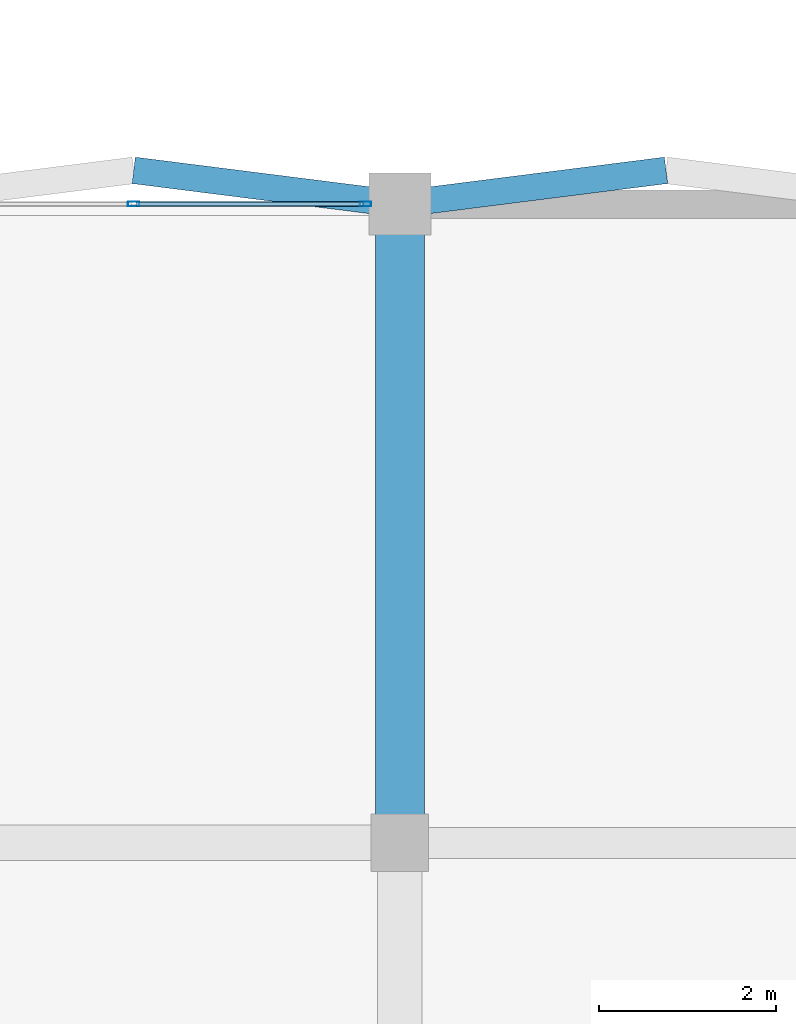
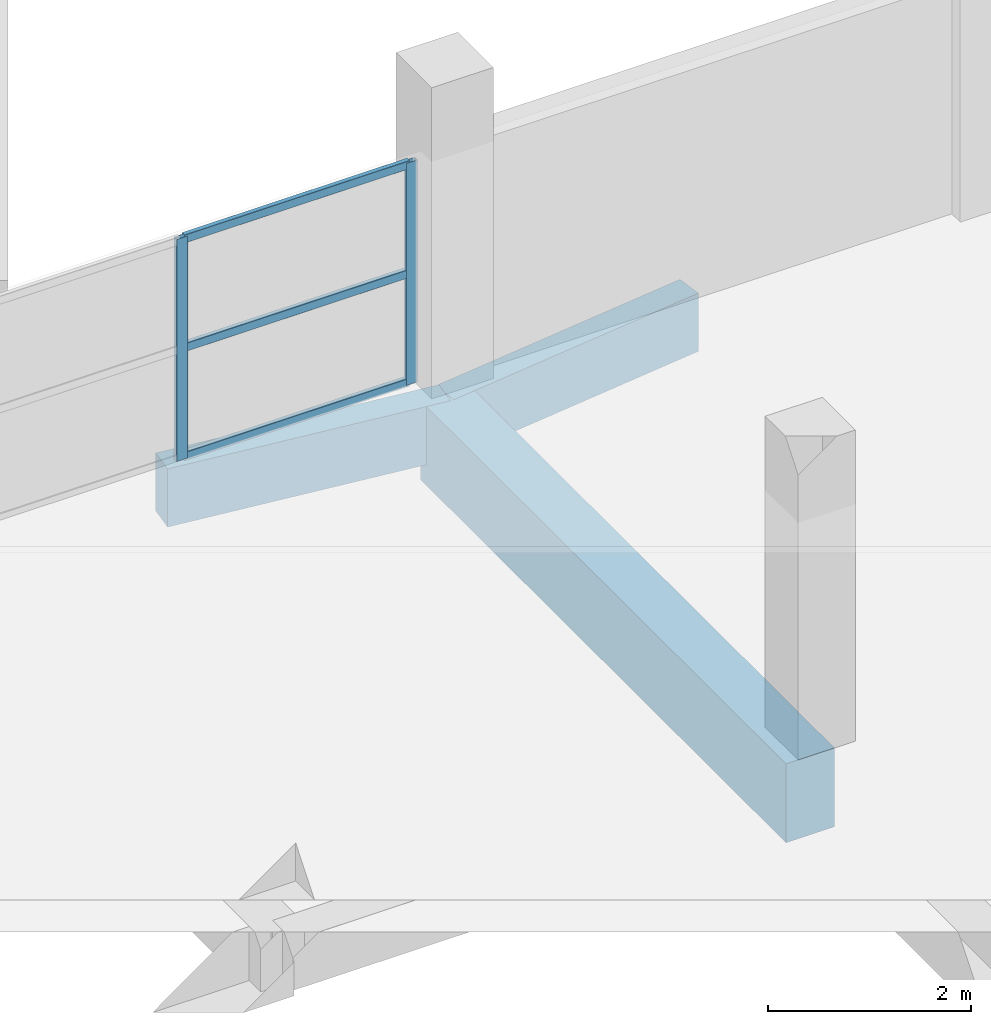
# One storey, part 14 of 239: 5 members, 3 beams, 1 element without a shape of its own.
"""IFC4 building model written with IfcOpenShell, lengths in metres."""

from ifc_helpers import new_model, si_unit, direction, frame, origin, origin_2d, place, context, subcontext, project, spatial, rectangle, hollow_rectangle, extrude, material, layer, layer_set, material_profile, profile_set, type_object, element, aggregate, save


model = new_model("IFC4")

# Units and contexts
model_context = context("Model", 3, precision=1e-05, world=origin(), true_north=direction((0.0, 1.0)))
body_context = subcontext(model_context, "Body", "Model", "MODEL_VIEW")
ifc_project = project(units=[si_unit("LENGTHUNIT", "METRE"), si_unit("AREAUNIT", "SQUARE_METRE"), si_unit("VOLUMEUNIT", "CUBIC_METRE"), si_unit("PLANEANGLEUNIT", "RADIAN"), si_unit("MASSUNIT", "GRAM", prefix="KILO")], contexts=[model_context])

# Site, building, storey
site_placement = place(None, origin())
site = spatial("IfcSite", under=ifc_project, at=site_placement, CompositionType="ELEMENT")
building_placement = place(site_placement, origin())
building = spatial("IfcBuilding", under=site, at=building_placement, Name="Dunvalen Ferry Terminal", CompositionType="ELEMENT")
storey_placement = place(building_placement, frame((0.0, 0.0, 9.840087890625)))
storey = spatial("IfcBuildingStorey", under=building, at=storey_placement, Name="L02", CompositionType="ELEMENT", Elevation=9.840087890625)

# Curtain wall, members
ifc_material_1 = material(Name="Anodised marine aluminium and solar-control glazing", Category="aluminium")
ifc_layer = layer(ifc_material_1, 0.14990234375, Name="Anodised marine aluminium and solar-control glazing")
ifc_layer_set = layer_set([ifc_layer], Name="Anodised marine aluminium and solar-control glazing")
curtain_wall_type = type_object("IfcCurtainWallType", Name="ENV-CW-SYS-11", PredefinedType="NOTDEFINED", material=ifc_layer_set)
curtain_wall_placement = place(storey_placement, origin())
curtain_wall = element("IfcCurtainWall", 1, at=curtain_wall_placement, inside=storey, type_object=curtain_wall_type, Name="L02 Curtain Wall CW-V5CORE-L02-7-6", PredefinedType="NOTDEFINED")
ifc_material_2 = material(Name="Anodised marine aluminium EN AW-6063 T6", Category="aluminium")
ifc_material_profile_1 = material_profile(ifc_material_2, hollow_rectangle(XDim=0.054931640625, YDim=0.1298828125, WallThickness=0.003173828125, InnerFilletRadius=0.003173828125, OuterFilletRadius=0.00634765625, at=origin_2d()), Name="Anodised marine aluminium EN AW-6063 T6")
ifc_profile_set_1 = profile_set([ifc_material_profile_1], Name="Anodised marine aluminium EN AW-6063 T6")
member_type_1 = type_object("IfcMemberType", Name="ENV-CW-MUL-4", PredefinedType="MULLION", material=ifc_profile_set_1)
member_1_placement = place(storey_placement, frame((35.612548828125, 36.0, 0.0), z_axis=(0.0, 0.0, 1.0), x_axis=(0.0, -1.0, 0.0)))
member_1 = element("IfcMember", 2, at=member_1_placement, type_object=member_type_1, Name="CW-11 mullion 1", PredefinedType="MULLION", context=body_context, shape_type="SweptSolid", body=[
    extrude(hollow_rectangle(XDim=0.054931640625, YDim=0.1298828125, WallThickness=0.003173828125, InnerFilletRadius=0.003173828125, OuterFilletRadius=0.00634765625, at=origin_2d()), origin(), (0.0, 0.0, 1.0), 2.669921875),
])
member_2_placement = place(storey_placement, frame((33.0, 36.0, 0.0), z_axis=(0.0, 0.0, 1.0), x_axis=(0.0, -1.0, 0.0)))
member_2 = element("IfcMember", 3, at=member_2_placement, type_object=member_type_1, Name="CW-11 mullion 2", PredefinedType="MULLION", context=body_context, shape_type="SweptSolid", body=[
    extrude(hollow_rectangle(XDim=0.054931640625, YDim=0.1298828125, WallThickness=0.003173828125, InnerFilletRadius=0.003173828125, OuterFilletRadius=0.00634765625, at=origin_2d()), origin(), (0.0, 0.0, 1.0), 2.669921875),
])
ifc_material_profile_2 = material_profile(ifc_material_2, hollow_rectangle(XDim=0.054931640625, YDim=0.10009765625, WallThickness=0.0029296875, InnerFilletRadius=0.0029296875, OuterFilletRadius=0.006103515625, at=origin_2d()), Name="Anodised marine aluminium EN AW-6063 T6")
ifc_profile_set_2 = profile_set([ifc_material_profile_2], Name="Anodised marine aluminium EN AW-6063 T6")
member_type_2 = type_object("IfcMemberType", Name="ENV-CW-TRN-4", PredefinedType="USERDEFINED", material=ifc_profile_set_2)
member_3_placement = place(storey_placement, frame((35.5849609375, 36.0, 0.02734375), z_axis=(-1.0, 0.0, 0.0), x_axis=(0.0, -1.0, 0.0)))
member_3 = element("IfcMember", 4, at=member_3_placement, type_object=member_type_2, Name="CW-11 transom 1.1", ObjectType="TRANSOM", PredefinedType="USERDEFINED", context=body_context, shape_type="SweptSolid", body=[
    extrude(hollow_rectangle(XDim=0.054931640625, YDim=0.10009765625, WallThickness=0.0029296875, InnerFilletRadius=0.0029296875, OuterFilletRadius=0.006103515625, at=origin_2d()), origin(), (0.0, 0.0, 1.0), 2.557373046875),
])
member_4_placement = place(storey_placement, frame((35.5849609375, 36.0, 1.3349609375), z_axis=(-1.0, 0.0, 0.0), x_axis=(0.0, -1.0, 0.0)))
member_4 = element("IfcMember", 5, at=member_4_placement, type_object=member_type_2, Name="CW-11 transom 1.2", ObjectType="TRANSOM", PredefinedType="USERDEFINED", context=body_context, shape_type="SweptSolid", body=[
    extrude(hollow_rectangle(XDim=0.054931640625, YDim=0.10009765625, WallThickness=0.0029296875, InnerFilletRadius=0.0029296875, OuterFilletRadius=0.006103515625, at=origin_2d()), origin(), (0.0, 0.0, 1.0), 2.557373046875),
])
member_5_placement = place(storey_placement, frame((35.5849609375, 36.0, 2.642333984375), z_axis=(-1.0, 0.0, 0.0), x_axis=(0.0, -1.0, 0.0)))
member_5 = element("IfcMember", 6, at=member_5_placement, type_object=member_type_2, Name="CW-11 transom 1.3", ObjectType="TRANSOM", PredefinedType="USERDEFINED", context=body_context, shape_type="SweptSolid", body=[
    extrude(hollow_rectangle(XDim=0.054931640625, YDim=0.10009765625, WallThickness=0.0029296875, InnerFilletRadius=0.0029296875, OuterFilletRadius=0.006103515625, at=origin_2d()), origin(), (0.0, 0.0, 1.0), 2.557373046875),
])
aggregate(curtain_wall, [member_1, member_2, member_3, member_4, member_5])

# Beams
ifc_material_3 = material(Name="Concrete C40/50", Category="concrete")
ifc_material_profile_3 = material_profile(ifc_material_3, rectangle(XDim=0.550048828125, YDim=0.949951171875, at=origin_2d()), Name="Concrete C40/50")
ifc_profile_set_3 = profile_set([ifc_material_profile_3], Name="Concrete C40/50")
beam_type_1 = type_object("IfcBeamType", Name="STR-BM-RCG950", PredefinedType="BEAM", material=ifc_profile_set_3)
beam_placement = place(storey_placement, frame((36.0, 28.800048828125, -0.735107421875), z_axis=(0.0, 1.0, 0.0), x_axis=(-1.0, 0.0, 0.0)))
element("IfcBeam", 7, at=beam_placement, inside=storey, type_object=beam_type_1, Name="L02 V5P0 Primary Girder Y-072", PredefinedType="BEAM", context=body_context, shape_type="SweptSolid", body=[
    extrude(rectangle(XDim=0.550048828125, YDim=0.949951171875, at=origin_2d()), origin(), (0.0, 0.0, 1.0), 7.199951171875),
])
ifc_material_profile_4 = material_profile(ifc_material_3, rectangle(XDim=0.300048828125, YDim=0.699951171875, at=origin_2d()), Name="Concrete C40/50")
ifc_profile_set_4 = profile_set([ifc_material_profile_4], Name="Concrete C40/50")
beam_type_2 = type_object("IfcBeamType", Name="STR-BM-RCSP700", PredefinedType="SPANDREL", material=ifc_profile_set_4)
for number, where, z_axis, x_axis, name in (
    (8, (33.0, 36.3798828125, -0.610107421875), (0.992077869489, -0.12562444376, 0.0), (0.12562444376, 0.992077869489, 0.0), "L02 Passage Pilaster Spandrel Tie 04.2"),
    (9, (36.0, 36.0, -0.610107421875), (0.992077869489, 0.12562444376, 0.0), (-0.12562444376, 0.992077869489, 0.0), "L02 Passage Pilaster Spandrel Tie 05.1"),
):
    element("IfcBeam", number, at=place(storey_placement, frame(where, z_axis=z_axis, x_axis=x_axis)), inside=storey, type_object=beam_type_2, Name=name, PredefinedType="SPANDREL", context=body_context, shape_type="SweptSolid", body=[
        extrude(rectangle(XDim=0.300048828125, YDim=0.699951171875, at=origin_2d()), origin(), (0.0, 0.0, 1.0), 3.02392578125),
    ])

save(model, "model.ifc")
